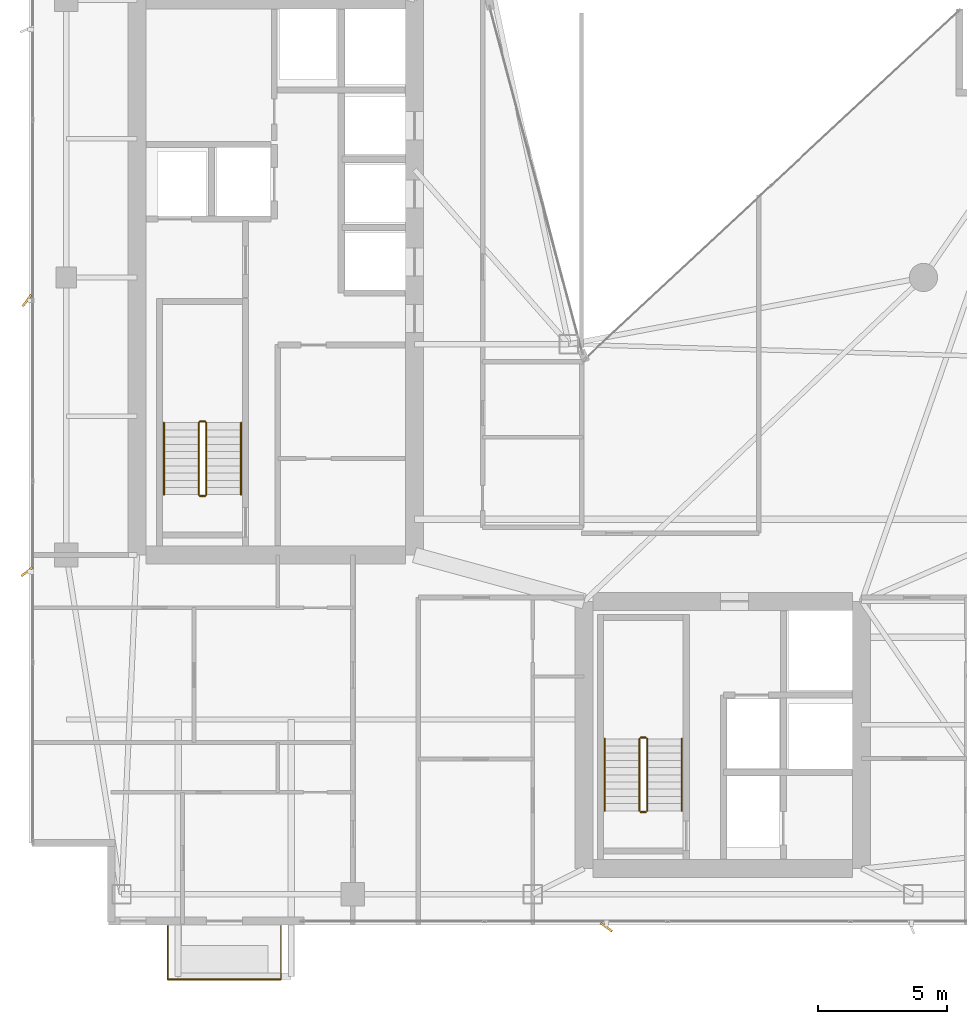
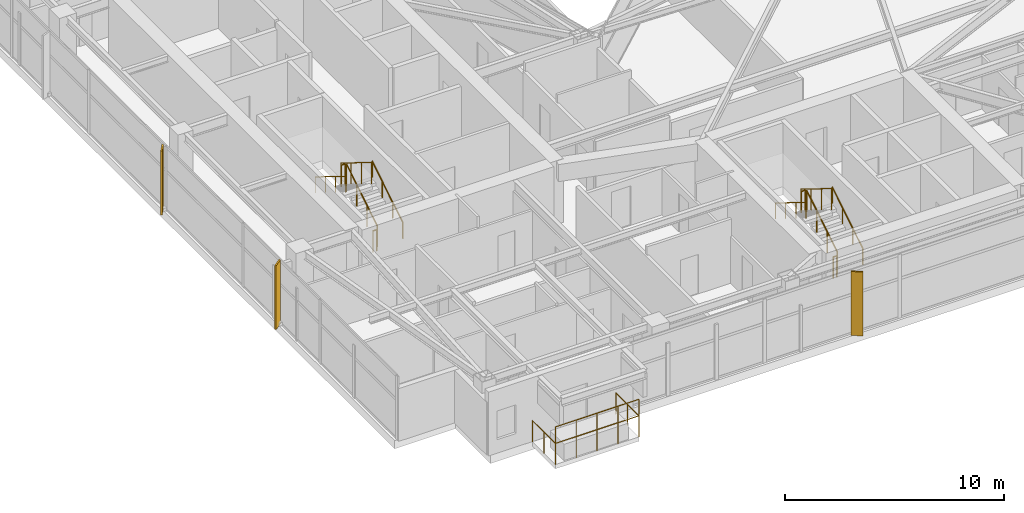
# One storey, part 27 of 28: 14 railings, 3 shading devices.
"""IFC4 building model written with IfcOpenShell, lengths in metres."""

from ifc_helpers import new_model, si_unit, direction, frame, origin, origin_2d, place, context, subcontext, project, spatial, rectangle, circle, extrude, material, type_object, element, save


model = new_model("IFC4")

# Units and contexts
model_context = context("Model", 3, precision=1e-05, world=origin(), true_north=direction((0.0, 1.0)))
body_context = subcontext(model_context, "Body", "Model", "MODEL_VIEW")
ifc_project = project(units=[si_unit("LENGTHUNIT", "METRE"), si_unit("AREAUNIT", "SQUARE_METRE"), si_unit("VOLUMEUNIT", "CUBIC_METRE"), si_unit("PLANEANGLEUNIT", "RADIAN"), si_unit("MASSUNIT", "GRAM", prefix="KILO")], contexts=[model_context])

# Site, building, storey
site_placement = place(None, origin())
site = spatial("IfcSite", under=ifc_project, at=site_placement, CompositionType="ELEMENT")
building_placement = place(site_placement, origin())
building = spatial("IfcBuilding", under=site, at=building_placement, Name="Calvorn Quay Hotel", CompositionType="ELEMENT")
storey_placement = place(building_placement, frame((0.0, 0.0, 219.300048828125)))
storey = spatial("IfcBuildingStorey", under=building, at=storey_placement, Name="L54", CompositionType="ELEMENT", Elevation=219.300048828125)

# Railings
ifc_material_1 = material(Name="Pale Anodised Aluminium and Laminated Glass", Category="aluminium")
railing_type_1 = type_object("IfcRailingType", Name="RLG-BALUSTRADE-1200", PredefinedType="BALUSTRADE", material=ifc_material_1)
railing_1_placement = place(storey_placement, frame((5.39990234375, 2.389892578125, 0.0)))
element("IfcRailing", 1, at=railing_1_placement, inside=storey, type_object=railing_type_1, Name="Tree Balcony Perimeter Balustrade L54-BALC-S", PredefinedType="BALUSTRADE", context=body_context, shape_type="SweptSolid", body=[
    extrude(circle(Radius=0.02392578125, at=origin_2d()), frame((0.0, 0.0, 1.17578125), z_axis=(0.0, -1.0, 0.0), x_axis=(1.0, 0.0, 0.0)), (0.0, 0.0, 1.0), 2.099853515625),
    extrude(circle(Radius=0.02392578125, at=origin_2d()), frame((0.0, -2.099853515625, 1.17578125), z_axis=(1.0, 0.0, 0.0), x_axis=(0.0, 1.0, 0.0)), (0.0, 0.0, 1.0), 4.400146484375),
    extrude(circle(Radius=0.02392578125, at=origin_2d()), frame((4.400146484375, -2.099853515625, 1.17578125), z_axis=(0.0, 1.0, 0.0), x_axis=(-1.0, 0.0, 0.0)), (0.0, 0.0, 1.0), 2.099853515625),
    extrude(circle(Radius=0.02099609375, at=origin_2d()), origin(), (0.0, 0.0, 1.0), 1.15185546875),
    extrude(circle(Radius=0.02099609375, at=origin_2d()), frame((0.0, -1.0498046875, 0.0)), (0.0, 0.0, 1.0), 1.15185546875),
    extrude(circle(Radius=0.02099609375, at=origin_2d()), frame((0.0, -2.099853515625, 0.0)), (0.0, 0.0, 1.0), 1.15185546875),
    extrude(circle(Radius=0.02099609375, at=origin_2d()), frame((1.10009765625, -2.099853515625, 0.0)), (0.0, 0.0, 1.0), 1.15185546875),
    extrude(circle(Radius=0.02099609375, at=origin_2d()), frame((2.2001953125, -2.099853515625, 0.0)), (0.0, 0.0, 1.0), 1.15185546875),
    extrude(circle(Radius=0.02099609375, at=origin_2d()), frame((3.300048828125, -2.099853515625, 0.0)), (0.0, 0.0, 1.0), 1.15185546875),
    extrude(circle(Radius=0.02099609375, at=origin_2d()), frame((4.400146484375, -2.099853515625, 0.0)), (0.0, 0.0, 1.0), 1.15185546875),
    extrude(circle(Radius=0.02099609375, at=origin_2d()), frame((4.400146484375, -1.0498046875, 0.0)), (0.0, 0.0, 1.0), 1.15185546875),
    extrude(circle(Radius=0.02099609375, at=origin_2d()), frame((4.400146484375, 0.0, 0.0)), (0.0, 0.0, 1.0), 1.15185546875),
])
railing_2_placement = place(storey_placement, frame((5.39990234375, 0.2900390625, 0.89990234375)))
element("IfcRailing", 2, at=railing_2_placement, inside=storey, type_object=railing_type_1, Name="Planter Kerb High Safety Screen L54-BALC-S", PredefinedType="BALUSTRADE", context=body_context, shape_type="SweptSolid", body=[
    extrude(circle(Radius=0.02392578125, at=origin_2d()), frame((0.0, 0.0, 1.19580078125), z_axis=(1.0, 0.0, 0.0), x_axis=(0.0, 1.0, 0.0)), (0.0, 0.0, 1.0), 4.400146484375),
    extrude(circle(Radius=0.02099609375, at=origin_2d()), origin(), (0.0, 0.0, 1.0), 1.171875),
    extrude(circle(Radius=0.02099609375, at=origin_2d()), frame((1.10009765625, 0.0, 0.0)), (0.0, 0.0, 1.0), 1.171875),
    extrude(circle(Radius=0.02099609375, at=origin_2d()), frame((2.2001953125, 0.0, 0.0)), (0.0, 0.0, 1.0), 1.171875),
    extrude(circle(Radius=0.02099609375, at=origin_2d()), frame((3.300048828125, 0.0, 0.0)), (0.0, 0.0, 1.0), 1.171875),
    extrude(circle(Radius=0.02099609375, at=origin_2d()), frame((4.400146484375, 0.0, 0.0)), (0.0, 0.0, 1.0), 1.171875),
])
ifc_material_2 = material(Name="Brushed Stainless Steel Handrail", Category="steel")
railing_type_2 = type_object("IfcRailingType", Name="RLG-HANDRAIL-900", PredefinedType="HANDRAIL", material=ifc_material_2)
railing_3_placement = place(storey_placement, frame((8.25, 19.14990234375, 0.172607421875)))
element("IfcRailing", 3, at=railing_3_placement, inside=storey, type_object=railing_type_2, Name="L54 ST-W stair handrail 1", PredefinedType="HANDRAIL", context=body_context, shape_type="SweptSolid", body=[
    extrude(circle(Radius=0.02392578125, at=origin_2d()), frame((0.0, 0.0, 0.8759765625), z_axis=(0.0, 0.851089632645, 0.525020415988), x_axis=(-1.0, 0.0, 0.0)), (0.0, 0.0, 1.0), 3.2900390625),
    extrude(circle(Radius=0.02099609375, at=origin_2d()), origin(), (0.0, 0.0, 1.0), 0.851806640625),
    extrude(circle(Radius=0.02099609375, at=origin_2d()), frame((0.0, 0.933349609375, 0.57568359375)), (0.0, 0.0, 1.0), 0.851806640625),
    extrude(circle(Radius=0.02099609375, at=origin_2d()), frame((0.0, 1.86669921875, 1.151611328125)), (0.0, 0.0, 1.0), 0.851806640625),
    extrude(circle(Radius=0.02099609375, at=origin_2d()), frame((0.0, 2.800048828125, 1.727294921875)), (0.0, 0.0, 1.0), 0.851806640625),
])
railing_4_placement = place(storey_placement, frame((5.25, 21.949951171875, 2.07275390625)))
element("IfcRailing", 4, at=railing_4_placement, inside=storey, type_object=railing_type_2, Name="L54 ST-W stair handrail 2", PredefinedType="HANDRAIL", context=body_context, shape_type="SweptSolid", body=[
    extrude(circle(Radius=0.02392578125, at=origin_2d()), frame((0.0, 0.0, 0.8759765625), z_axis=(0.0, -0.851089632645, 0.525020415988), x_axis=(1.0, 0.0, 0.0)), (0.0, 0.0, 1.0), 3.2900390625),
    extrude(circle(Radius=0.02099609375, at=origin_2d()), origin(), (0.0, 0.0, 1.0), 0.851806640625),
    extrude(circle(Radius=0.02099609375, at=origin_2d()), frame((0.0, -0.933349609375, 0.57568359375)), (0.0, 0.0, 1.0), 0.851806640625),
    extrude(circle(Radius=0.02099609375, at=origin_2d()), frame((0.0, -1.86669921875, 1.151611328125)), (0.0, 0.0, 1.0), 0.851806640625),
    extrude(circle(Radius=0.02099609375, at=origin_2d()), frame((0.0, -2.800048828125, 1.727294921875)), (0.0, 0.0, 1.0), 0.851806640625),
])
railing_5_placement = place(storey_placement, frame((25.39990234375, 6.85009765625, 0.172607421875)))
element("IfcRailing", 5, at=railing_5_placement, inside=storey, type_object=railing_type_2, Name="L54 ST-E stair handrail 1", PredefinedType="HANDRAIL", context=body_context, shape_type="SweptSolid", body=[
    extrude(circle(Radius=0.02392578125, at=origin_2d()), frame((0.0, 0.0, 0.8759765625), z_axis=(0.0, 0.851069175582, 0.525053576669), x_axis=(-1.0, 0.0, 0.0)), (0.0, 0.0, 1.0), 3.289794921875),
    extrude(circle(Radius=0.02099609375, at=origin_2d()), origin(), (0.0, 0.0, 1.0), 0.851806640625),
    extrude(circle(Radius=0.02099609375, at=origin_2d()), frame((0.0, 0.933349609375, 0.57568359375)), (0.0, 0.0, 1.0), 0.851806640625),
    extrude(circle(Radius=0.02099609375, at=origin_2d()), frame((0.0, 1.866455078125, 1.151611328125)), (0.0, 0.0, 1.0), 0.851806640625),
    extrude(circle(Radius=0.02099609375, at=origin_2d()), frame((0.0, 2.7998046875, 1.727294921875)), (0.0, 0.0, 1.0), 0.851806640625),
])
railing_6_placement = place(storey_placement, frame((22.39990234375, 9.64990234375, 2.07275390625)))
element("IfcRailing", 6, at=railing_6_placement, inside=storey, type_object=railing_type_2, Name="L54 ST-E stair handrail 2", PredefinedType="HANDRAIL", context=body_context, shape_type="SweptSolid", body=[
    extrude(circle(Radius=0.02392578125, at=origin_2d()), frame((0.0, 0.0, 0.8759765625), z_axis=(0.0, -0.851069175582, 0.525053576669), x_axis=(1.0, 0.0, 0.0)), (0.0, 0.0, 1.0), 3.289794921875),
    extrude(circle(Radius=0.02099609375, at=origin_2d()), origin(), (0.0, 0.0, 1.0), 0.851806640625),
    extrude(circle(Radius=0.02099609375, at=origin_2d()), frame((0.0, -0.933349609375, 0.57568359375)), (0.0, 0.0, 1.0), 0.851806640625),
    extrude(circle(Radius=0.02099609375, at=origin_2d()), frame((0.0, -1.866455078125, 1.151611328125)), (0.0, 0.0, 1.0), 0.851806640625),
    extrude(circle(Radius=0.02099609375, at=origin_2d()), frame((0.0, -2.7998046875, 1.727294921875)), (0.0, 0.0, 1.0), 0.851806640625),
])
ifc_material_3 = material(Name="Painted Galvanised Steel Balustrade", Category="steel")
railing_type_3 = type_object("IfcRailingType", Name="RLG-STAIR-GUARD-1120", PredefinedType="GUARDRAIL", material=ifc_material_3)
railing_7_placement = place(storey_placement, frame((6.89990234375, 19.14990234375, 0.172607421875)))
element("IfcRailing", 7, at=railing_7_placement, inside=storey, type_object=railing_type_3, Name="L54 ST-W stair guard 1", PredefinedType="GUARDRAIL", context=body_context, shape_type="SweptSolid", body=[
    extrude(circle(Radius=0.02392578125, at=origin_2d()), frame((0.0, 0.0, 1.17578125), z_axis=(0.0, 0.851089632645, 0.525020415988), x_axis=(-1.0, 0.0, 0.0)), (0.0, 0.0, 1.0), 3.2900390625),
    extrude(circle(Radius=0.02099609375, at=origin_2d()), origin(), (0.0, 0.0, 1.0), 1.15185546875),
    extrude(circle(Radius=0.02099609375, at=origin_2d()), frame((0.0, 0.933349609375, 0.57568359375)), (0.0, 0.0, 1.0), 1.15185546875),
    extrude(circle(Radius=0.02099609375, at=origin_2d()), frame((0.0, 1.86669921875, 1.151611328125)), (0.0, 0.0, 1.0), 1.15185546875),
    extrude(circle(Radius=0.02099609375, at=origin_2d()), frame((0.0, 2.800048828125, 1.727294921875)), (0.0, 0.0, 1.0), 1.15185546875),
])
railing_8_placement = place(storey_placement, frame((6.85009765625, 22.0, 1.89990234375)))
element("IfcRailing", 8, at=railing_8_placement, inside=storey, type_object=railing_type_3, Name="L54 ST-W stair guard 2", PredefinedType="GUARDRAIL", context=body_context, shape_type="SweptSolid", body=[
    extrude(circle(Radius=0.02392578125, at=origin_2d()), frame((0.0, 0.0, 1.17578125), z_axis=(-1.0, 0.0, 0.0), x_axis=(0.0, -1.0, 0.0)), (0.0, 0.0, 1.0), 0.2001953125),
    extrude(circle(Radius=0.02099609375, at=origin_2d()), origin(), (0.0, 0.0, 1.0), 1.15185546875),
    extrude(circle(Radius=0.02099609375, at=origin_2d()), frame((-0.2001953125, 0.0, 0.0)), (0.0, 0.0, 1.0), 1.15185546875),
])
railing_9_placement = place(storey_placement, frame((6.60009765625, 21.949951171875, 2.07275390625)))
element("IfcRailing", 9, at=railing_9_placement, inside=storey, type_object=railing_type_3, Name="L54 ST-W stair guard 3", PredefinedType="GUARDRAIL", context=body_context, shape_type="SweptSolid", body=[
    extrude(circle(Radius=0.02392578125, at=origin_2d()), frame((0.0, 0.0, 1.17578125), z_axis=(0.0, -0.851089632645, 0.525020415988), x_axis=(1.0, 0.0, 0.0)), (0.0, 0.0, 1.0), 3.2900390625),
    extrude(circle(Radius=0.02099609375, at=origin_2d()), origin(), (0.0, 0.0, 1.0), 1.15185546875),
    extrude(circle(Radius=0.02099609375, at=origin_2d()), frame((0.0, -0.933349609375, 0.57568359375)), (0.0, 0.0, 1.0), 1.15185546875),
    extrude(circle(Radius=0.02099609375, at=origin_2d()), frame((0.0, -1.86669921875, 1.151611328125)), (0.0, 0.0, 1.0), 1.15185546875),
    extrude(circle(Radius=0.02099609375, at=origin_2d()), frame((0.0, -2.800048828125, 1.727294921875)), (0.0, 0.0, 1.0), 1.15185546875),
])
railing_10_placement = place(storey_placement, frame((6.85009765625, 19.10009765625, 0.0)))
element("IfcRailing", 10, at=railing_10_placement, inside=storey, type_object=railing_type_3, Name="L54 ST-W stair guard 4", PredefinedType="GUARDRAIL", context=body_context, shape_type="SweptSolid", body=[
    extrude(circle(Radius=0.02392578125, at=origin_2d()), frame((0.0, 0.0, 1.17578125), z_axis=(-1.0, 0.0, 0.0), x_axis=(0.0, -1.0, 0.0)), (0.0, 0.0, 1.0), 0.2001953125),
    extrude(circle(Radius=0.02099609375, at=origin_2d()), origin(), (0.0, 0.0, 1.0), 1.15185546875),
    extrude(circle(Radius=0.02099609375, at=origin_2d()), frame((-0.2001953125, 0.0, 0.0)), (0.0, 0.0, 1.0), 1.15185546875),
])
railing_11_placement = place(storey_placement, frame((24.050048828125, 6.85009765625, 0.172607421875)))
element("IfcRailing", 11, at=railing_11_placement, inside=storey, type_object=railing_type_3, Name="L54 ST-E stair guard 1", PredefinedType="GUARDRAIL", context=body_context, shape_type="SweptSolid", body=[
    extrude(circle(Radius=0.02392578125, at=origin_2d()), frame((0.0, 0.0, 1.17578125), z_axis=(0.0, 0.851069175582, 0.525053576669), x_axis=(-1.0, 0.0, 0.0)), (0.0, 0.0, 1.0), 3.289794921875),
    extrude(circle(Radius=0.02099609375, at=origin_2d()), origin(), (0.0, 0.0, 1.0), 1.15185546875),
    extrude(circle(Radius=0.02099609375, at=origin_2d()), frame((0.0, 0.933349609375, 0.57568359375)), (0.0, 0.0, 1.0), 1.15185546875),
    extrude(circle(Radius=0.02099609375, at=origin_2d()), frame((0.0, 1.866455078125, 1.151611328125)), (0.0, 0.0, 1.0), 1.15185546875),
    extrude(circle(Radius=0.02099609375, at=origin_2d()), frame((0.0, 2.7998046875, 1.727294921875)), (0.0, 0.0, 1.0), 1.15185546875),
])
railing_12_placement = place(storey_placement, frame((24.0, 9.699951171875, 1.89990234375)))
element("IfcRailing", 12, at=railing_12_placement, inside=storey, type_object=railing_type_3, Name="L54 ST-E stair guard 2", PredefinedType="GUARDRAIL", context=body_context, shape_type="SweptSolid", body=[
    extrude(circle(Radius=0.02392578125, at=origin_2d()), frame((0.0, 0.0, 1.17578125), z_axis=(-1.0, 0.0, 0.0), x_axis=(0.0, -1.0, 0.0)), (0.0, 0.0, 1.0), 0.199951171875),
    extrude(circle(Radius=0.02099609375, at=origin_2d()), origin(), (0.0, 0.0, 1.0), 1.15185546875),
    extrude(circle(Radius=0.02099609375, at=origin_2d()), frame((-0.199951171875, 0.0, 0.0)), (0.0, 0.0, 1.0), 1.15185546875),
])
railing_13_placement = place(storey_placement, frame((23.75, 9.64990234375, 2.07275390625)))
element("IfcRailing", 13, at=railing_13_placement, inside=storey, type_object=railing_type_3, Name="L54 ST-E stair guard 3", PredefinedType="GUARDRAIL", context=body_context, shape_type="SweptSolid", body=[
    extrude(circle(Radius=0.02392578125, at=origin_2d()), frame((0.0, 0.0, 1.17578125), z_axis=(0.0, -0.851069175582, 0.525053576669), x_axis=(1.0, 0.0, 0.0)), (0.0, 0.0, 1.0), 3.289794921875),
    extrude(circle(Radius=0.02099609375, at=origin_2d()), origin(), (0.0, 0.0, 1.0), 1.15185546875),
    extrude(circle(Radius=0.02099609375, at=origin_2d()), frame((0.0, -0.933349609375, 0.57568359375)), (0.0, 0.0, 1.0), 1.15185546875),
    extrude(circle(Radius=0.02099609375, at=origin_2d()), frame((0.0, -1.866455078125, 1.151611328125)), (0.0, 0.0, 1.0), 1.15185546875),
    extrude(circle(Radius=0.02099609375, at=origin_2d()), frame((0.0, -2.7998046875, 1.727294921875)), (0.0, 0.0, 1.0), 1.15185546875),
])
railing_14_placement = place(storey_placement, frame((24.0, 6.800048828125, 0.0)))
element("IfcRailing", 14, at=railing_14_placement, inside=storey, type_object=railing_type_3, Name="L54 ST-E stair guard 4", PredefinedType="GUARDRAIL", context=body_context, shape_type="SweptSolid", body=[
    extrude(circle(Radius=0.02392578125, at=origin_2d()), frame((0.0, 0.0, 1.17578125), z_axis=(-1.0, 0.0, 0.0), x_axis=(0.0, -1.0, 0.0)), (0.0, 0.0, 1.0), 0.199951171875),
    extrude(circle(Radius=0.02099609375, at=origin_2d()), origin(), (0.0, 0.0, 1.0), 1.15185546875),
    extrude(circle(Radius=0.02099609375, at=origin_2d()), frame((-0.199951171875, 0.0, 0.0)), (0.0, 0.0, 1.0), 1.15185546875),
])

# Shading devices
ifc_material_4 = material(Name="Champagne Bronze Anodised Aluminium 6063-T6", Category="aluminium")
shading_device_type_1 = type_object("IfcShadingDeviceType", Name="SHD-FIN-A2", PredefinedType="USERDEFINED", material=ifc_material_4)
shading_device_placement = place(storey_placement, frame((-0.080078125, 16.14990234375, 0.0), z_axis=(0.0, 0.0, 1.0), x_axis=(0.788010753607, 0.615661475326, 0.0)))
element("IfcShadingDevice", 15, at=shading_device_placement, inside=storey, type_object=shading_device_type_1, Name="Diagonal Sun-Shading Fin L54-W01", ObjectType="FIN", PredefinedType="USERDEFINED", context=body_context, shape_type="SweptSolid", body=[
    extrude(rectangle(XDim=0.550048828125, YDim=0.080078125, at=origin_2d()), origin(), (0.0, 0.0, 1.0), 3.56005859375),
])
ifc_material_5 = material(Name="Champagne Bronze Anodised Aluminium 6063-T6", Category="aluminium")
shading_device_type_2 = type_object("IfcShadingDeviceType", Name="SHD-FIN-A3", PredefinedType="USERDEFINED", material=ifc_material_5)
for number, where, z_axis, x_axis, name in (
    (16, (-0.080078125, 26.699951171875, 0.0), (0.0, 0.0, 1.0), (0.587785252292, 0.809016994375, 0.0), "Diagonal Sun-Shading Fin L54-W02"),
    (17, (22.467041015625, 2.320068359375, 0.0), (0.0, 0.0, 1.0), (-0.809016994375, 0.587785252292, 0.0), "Diagonal Sun-Shading Fin L54-S01"),
):
    element("IfcShadingDevice", number, at=place(storey_placement, frame(where, z_axis=z_axis, x_axis=x_axis)), inside=storey, type_object=shading_device_type_2, Name=name, ObjectType="FIN", PredefinedType="USERDEFINED", context=body_context, shape_type="SweptSolid", body=[
        extrude(rectangle(XDim=0.550048828125, YDim=0.080078125, at=origin_2d()), origin(), (0.0, 0.0, 1.0), 3.56005859375),
    ])

save(model, "model.ifc")
